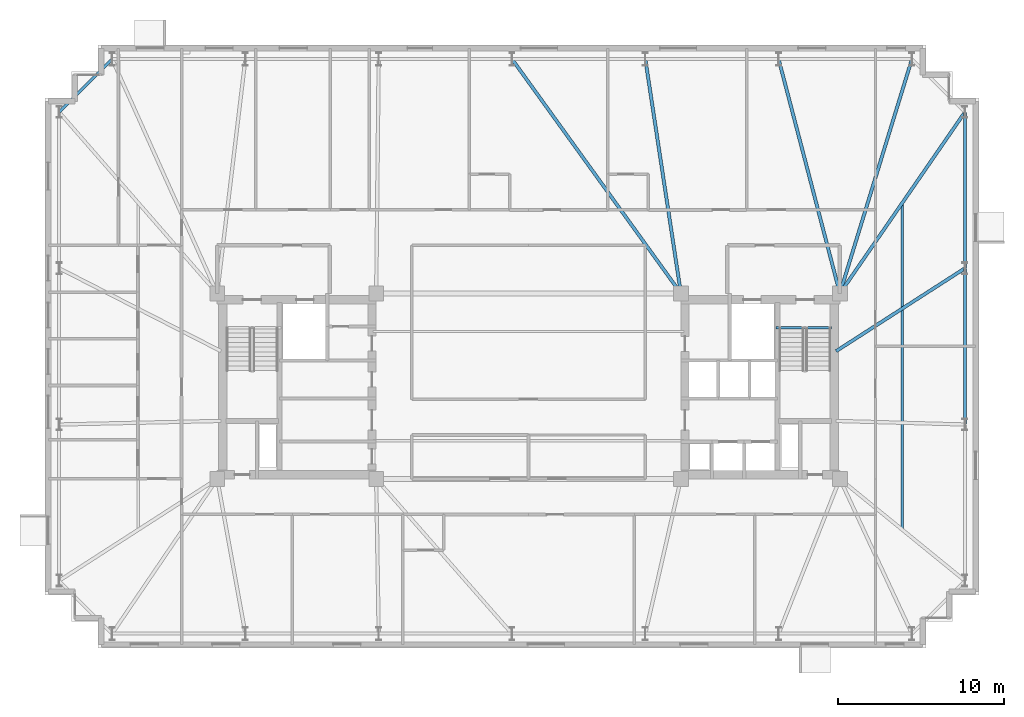
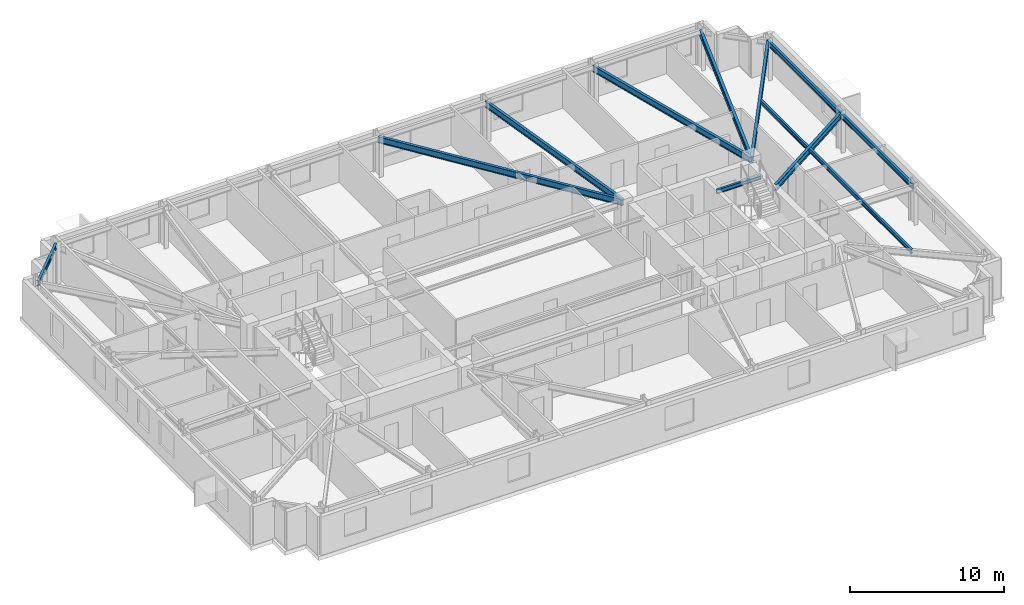
# One storey, part 6 of 17: 11 beams.
"""IFC4 building model written with IfcOpenShell, lengths in metres."""

from ifc_helpers import new_model, si_unit, direction, frame, origin, origin_2d, place, context, subcontext, project, spatial, i_section, extrude, material, material_profile, profile_set, type_object, element, save


model = new_model("IFC4")

# Units and contexts
model_context = context("Model", 3, precision=1e-05, world=origin(), true_north=direction((0.0, 1.0)))
body_context = subcontext(model_context, "Body", "Model", "MODEL_VIEW")
ifc_project = project(units=[si_unit("LENGTHUNIT", "METRE"), si_unit("AREAUNIT", "SQUARE_METRE"), si_unit("VOLUMEUNIT", "CUBIC_METRE"), si_unit("PLANEANGLEUNIT", "RADIAN"), si_unit("MASSUNIT", "GRAM", prefix="KILO")], contexts=[model_context])

# Site, building, storey
site_placement = place(None, origin())
site = spatial("IfcSite", under=ifc_project, at=site_placement, CompositionType="ELEMENT")
building_placement = place(site_placement, origin())
building = spatial("IfcBuilding", under=site, at=building_placement, Name="Qobustan Lattice House", CompositionType="ELEMENT")
storey_placement = place(building_placement, frame((0.0, 0.0, 164.5)))
storey = spatial("IfcBuildingStorey", under=building, at=storey_placement, Name="L46", CompositionType="ELEMENT", Elevation=164.5)

# Beams
ifc_material_1 = material(Name="Steel S355", Category="steel")
ifc_material_profile_1 = material_profile(ifc_material_1, i_section(OverallWidth=0.199951171875, OverallDepth=0.5, WebThickness=0.01025390625, FlangeThickness=0.01611328125, FilletRadius=0.02099609375, at=origin_2d()), Name="IPE500")
ifc_profile_set_1 = profile_set([ifc_material_profile_1], Name="Steel S355")
beam_type_1 = type_object("IfcBeamType", Name="BM-FLG-IPE500", PredefinedType="USERDEFINED", material=ifc_profile_set_1)
beam_1_placement = place(storey_placement, frame((-0.9853515625, 19.729736328125, 2.7900390625), z_axis=(0.584755393146, -0.811209670916, 0.0), x_axis=(0.811209670916, 0.584755393146, 0.0)))
element("IfcBeam", 1, at=beam_1_placement, inside=storey, type_object=beam_type_1, Name="L46 primary floor girder RAD-N4", ObjectType="GIRDER", PredefinedType="USERDEFINED", context=body_context, shape_type="SweptSolid", body=[
    extrude(i_section(OverallWidth=0.199951171875, OverallDepth=0.5, WebThickness=0.01025390625, FlangeThickness=0.01611328125, FilletRadius=0.02099609375, at=origin_2d()), origin(), (0.0, 0.0, 1.0), 17.39306640625),
])
beam_2_placement = place(storey_placement, frame((7.0537109375, 19.725341796875, 2.7900390625), z_axis=(0.150225226731, -0.988651799803, 0.0), x_axis=(0.988651799803, 0.150225226731, 0.0)))
element("IfcBeam", 2, at=beam_2_placement, inside=storey, type_object=beam_type_1, Name="L46 primary floor girder RAD-N3", ObjectType="GIRDER", PredefinedType="USERDEFINED", context=body_context, shape_type="SweptSolid", body=[
    extrude(i_section(OverallWidth=0.199951171875, OverallDepth=0.5, WebThickness=0.01025390625, FlangeThickness=0.01611328125, FilletRadius=0.02099609375, at=origin_2d()), origin(), (0.0, 0.0, 1.0), 14.262451171875),
])
beam_3_placement = place(storey_placement, frame((15.106201171875, 19.725830078125, 2.7900390625), z_axis=(0.252989153576, -0.967469114842, 0.0), x_axis=(0.967469114842, 0.252989153576, 0.0)))
element("IfcBeam", 3, at=beam_3_placement, inside=storey, type_object=beam_type_1, Name="L46 primary floor girder RAD-N2", ObjectType="GIRDER", PredefinedType="USERDEFINED", context=body_context, shape_type="SweptSolid", body=[
    extrude(i_section(OverallWidth=0.199951171875, OverallDepth=0.5, WebThickness=0.01025390625, FlangeThickness=0.01611328125, FilletRadius=0.02099609375, at=origin_2d()), origin(), (0.0, 0.0, 1.0), 14.57568359375),
])
beam_4_placement = place(storey_placement, frame((23.142578125, 19.72607421875, 2.7900390625), z_axis=(-0.293840483469, -0.955854471285, 0.0), x_axis=(0.955854471285, -0.293840483469, 0.0)))
element("IfcBeam", 4, at=beam_4_placement, inside=storey, type_object=beam_type_1, Name="L46 primary floor girder RAD-N1E", ObjectType="GIRDER", PredefinedType="USERDEFINED", context=body_context, shape_type="SweptSolid", body=[
    extrude(i_section(OverallWidth=0.199951171875, OverallDepth=0.5, WebThickness=0.01025390625, FlangeThickness=0.01611328125, FilletRadius=0.02099609375, at=origin_2d()), origin(), (0.0, 0.0, 1.0), 14.753662109375),
])
beam_5_placement = place(storey_placement, frame((26.335693359375, 16.529296875, 2.7900390625), z_axis=(-0.567643395011, -0.82327454479, 0.0), x_axis=(0.82327454479, -0.567643395011, 0.0)))
element("IfcBeam", 5, at=beam_5_placement, inside=storey, type_object=beam_type_1, Name="L46 primary floor girder RAD-E4", ObjectType="GIRDER", PredefinedType="USERDEFINED", context=body_context, shape_type="SweptSolid", body=[
    extrude(i_section(OverallWidth=0.199951171875, OverallDepth=0.5, WebThickness=0.01025390625, FlangeThickness=0.01611328125, FilletRadius=0.02099609375, at=origin_2d()), origin(), (0.0, 0.0, 1.0), 13.25048828125),
])
beam_6_placement = place(storey_placement, frame((26.3291015625, 7.103271484375, 2.7900390625), z_axis=(-0.841058920931, -0.540943519715, 0.0), x_axis=(0.540943519715, -0.841058920931, 0.0)))
element("IfcBeam", 6, at=beam_6_placement, inside=storey, type_object=beam_type_1, Name="L46 primary floor girder RAD-E3", ObjectType="GIRDER", PredefinedType="USERDEFINED", context=body_context, shape_type="SweptSolid", body=[
    extrude(i_section(OverallWidth=0.199951171875, OverallDepth=0.5, WebThickness=0.01025390625, FlangeThickness=0.01611328125, FilletRadius=0.02099609375, at=origin_2d()), origin(), (0.0, 0.0, 1.0), 9.22412109375),
])
ifc_material_2 = material(Name="Steel S355", Category="steel")
ifc_material_profile_2 = material_profile(ifc_material_2, i_section(OverallWidth=0.159912109375, OverallDepth=0.330078125, WebThickness=0.007568359375, FlangeThickness=0.011474609375, FilletRadius=0.01806640625, at=origin_2d()), Name="IPE330")
ifc_profile_set_2 = profile_set([ifc_material_profile_2], Name="Steel S355")
beam_type_2 = type_object("IfcBeamType", Name="BM-SEC-IPE330", PredefinedType="BEAM", material=ifc_profile_set_2)
beam_7_placement = place(storey_placement, frame((22.574951171875, 11.074951171875, 2.875), z_axis=(0.0, -1.0, 0.0), x_axis=(1.0, 0.0, 0.0)))
element("IfcBeam", 7, at=beam_7_placement, inside=storey, type_object=beam_type_2, Name="L46 east wing secondary beam", PredefinedType="BEAM", context=body_context, shape_type="SweptSolid", body=[
    extrude(i_section(OverallWidth=0.159912109375, OverallDepth=0.330078125, WebThickness=0.007568359375, FlangeThickness=0.011474609375, FilletRadius=0.01806640625, at=origin_2d()), origin(), (0.0, 0.0, 1.0), 19.75),
])
ifc_material_3 = material(Name="Steel S355", Category="steel")
ifc_material_profile_3 = material_profile(ifc_material_3, i_section(OverallWidth=0.159912109375, OverallDepth=0.330078125, WebThickness=0.007568359375, FlangeThickness=0.011474609375, FilletRadius=0.01806640625, at=origin_2d()), Name="IPE330")
ifc_profile_set_3 = profile_set([ifc_material_profile_3], Name="Steel S355")
beam_type_3 = type_object("IfcBeamType", Name="BM-SPD-IPE330", PredefinedType="SPANDREL", material=ifc_profile_set_3)
beam_8_placement = place(storey_placement, frame((14.949951171875, 3.52001953125, 2.875), z_axis=(1.0, 0.0, 0.0), x_axis=(0.0, 1.0, 0.0)))
element("IfcBeam", 8, at=beam_8_placement, inside=storey, type_object=beam_type_3, Name="L46 east stair landing trimmer beam", PredefinedType="SPANDREL", context=body_context, shape_type="SweptSolid", body=[
    extrude(i_section(OverallWidth=0.159912109375, OverallDepth=0.330078125, WebThickness=0.007568359375, FlangeThickness=0.011474609375, FilletRadius=0.01806640625, at=origin_2d()), origin(), (0.0, 0.0, 1.0), 3.35009765625),
])
ifc_material_4 = material(Name="Steel S355", Category="steel")
ifc_material_profile_4 = material_profile(ifc_material_4, i_section(OverallWidth=0.179931640625, OverallDepth=0.39990234375, WebThickness=0.008544921875, FlangeThickness=0.013427734375, FilletRadius=0.02099609375, at=origin_2d()), Name="IPE400")
ifc_profile_set_4 = profile_set([ifc_material_profile_4], Name="Steel S355")
beam_type_4 = type_object("IfcBeamType", Name="BM-SPD-IPE400", PredefinedType="SPANDREL", material=ifc_profile_set_4)
beam_9_placement = place(storey_placement, frame((26.35009765625, -2.291748046875, 2.840087890625), z_axis=(0.0, 1.0, 0.0), x_axis=(-1.0, 0.0, 0.0)))
element("IfcBeam", 9, at=beam_9_placement, inside=storey, type_object=beam_type_4, Name="L46 perimeter spandrel E2-E3", PredefinedType="SPANDREL", context=body_context, shape_type="SweptSolid", body=[
    extrude(i_section(OverallWidth=0.179931640625, OverallDepth=0.39990234375, WebThickness=0.008544921875, FlangeThickness=0.013427734375, FilletRadius=0.02099609375, at=origin_2d()), origin(), (0.0, 0.0, 1.0), 9.383544921875),
])
beam_10_placement = place(storey_placement, frame((26.35009765625, 7.1416015625, 2.840087890625), z_axis=(0.0, 1.0, 0.0), x_axis=(-1.0, 0.0, 0.0)))
element("IfcBeam", 10, at=beam_10_placement, inside=storey, type_object=beam_type_4, Name="L46 perimeter spandrel E3-E4", PredefinedType="SPANDREL", context=body_context, shape_type="SweptSolid", body=[
    extrude(i_section(OverallWidth=0.179931640625, OverallDepth=0.39990234375, WebThickness=0.008544921875, FlangeThickness=0.013427734375, FilletRadius=0.02099609375, at=origin_2d()), origin(), (0.0, 0.0, 1.0), 9.38330078125),
])
beam_11_placement = place(storey_placement, frame((-25.167724609375, 19.732421875, 2.840087890625), z_axis=(-0.707079505568, -0.707134055753, 0.0), x_axis=(0.707134055753, -0.707079505568, 0.0)))
element("IfcBeam", 11, at=beam_11_placement, inside=storey, type_object=beam_type_4, Name="L46 perimeter spandrel N7-W1", PredefinedType="SPANDREL", context=body_context, shape_type="SweptSolid", body=[
    extrude(i_section(OverallWidth=0.179931640625, OverallDepth=0.39990234375, WebThickness=0.008544921875, FlangeThickness=0.013427734375, FilletRadius=0.02099609375, at=origin_2d()), origin(), (0.0, 0.0, 1.0), 4.4755859375),
])

save(model, "model.ifc")
